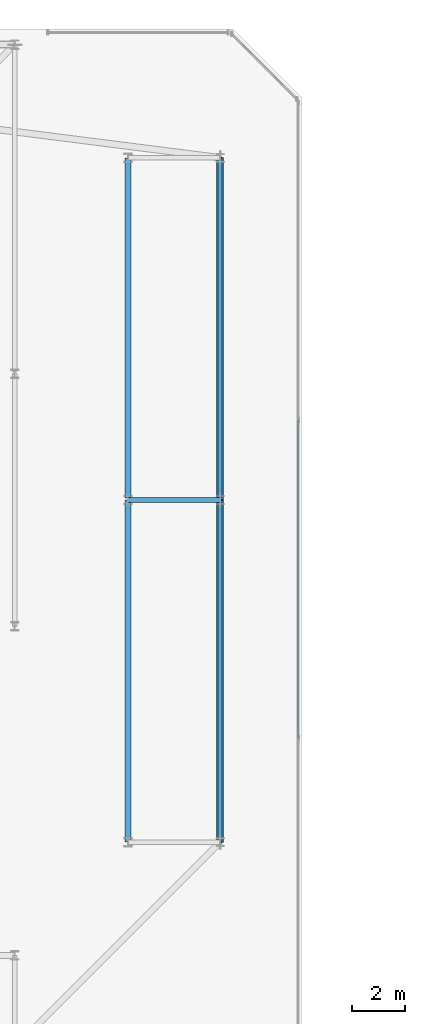
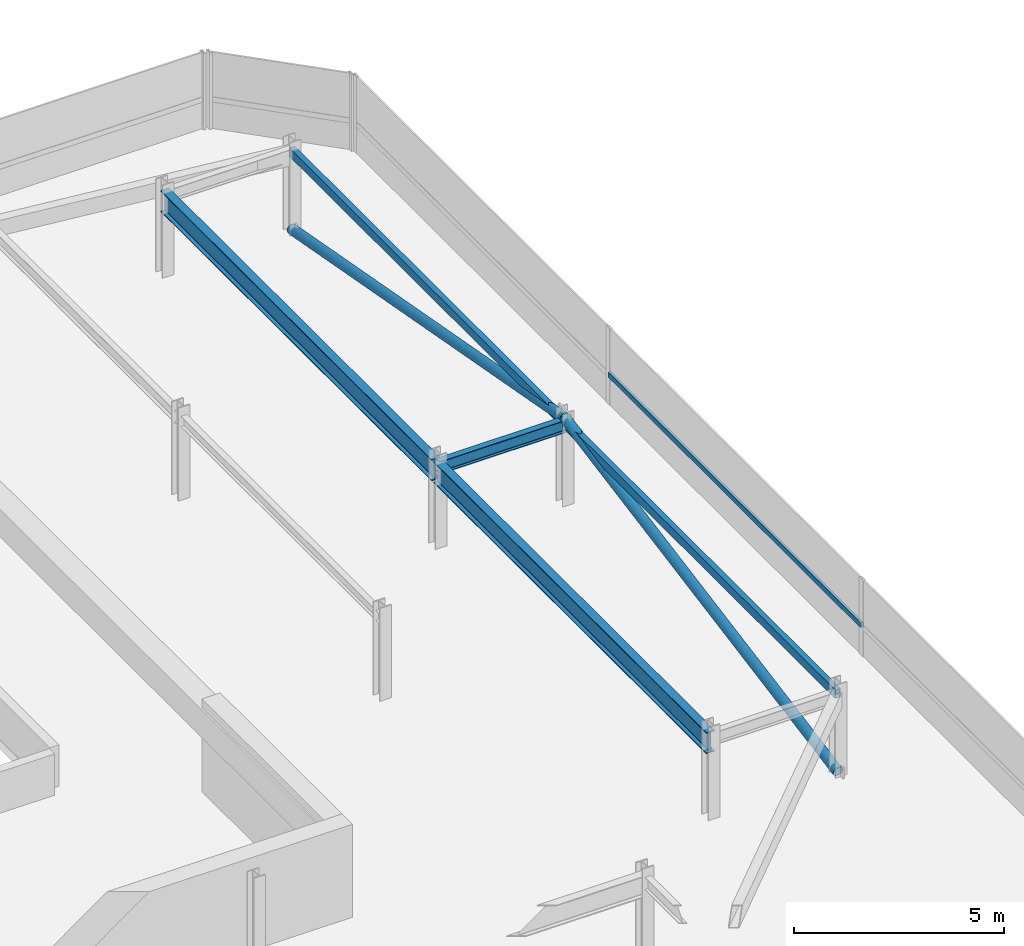
# One storey, part 18 of 42: 5 beams, 3 members, 1 element without a shape of its own.
"""IFC4 building model written with IfcOpenShell, lengths in metres."""

from ifc_helpers import new_model, si_unit, direction, frame, origin, origin_2d, place, context, subcontext, project, spatial, hollow_rectangle, hollow_circle, i_section, extrude, material, material_profile, profile_set, type_object, element, aggregate, save


model = new_model("IFC4")

# Units and contexts
model_context = context("Model", 3, precision=1e-05, world=origin(), true_north=direction((0.0, 1.0)))
body_context = subcontext(model_context, "Body", "Model", "MODEL_VIEW")
ifc_project = project(units=[si_unit("LENGTHUNIT", "METRE"), si_unit("AREAUNIT", "SQUARE_METRE"), si_unit("VOLUMEUNIT", "CUBIC_METRE"), si_unit("PLANEANGLEUNIT", "RADIAN"), si_unit("MASSUNIT", "GRAM", prefix="KILO")], contexts=[model_context])

# Site, building, storey
site_placement = place(None, origin())
site = spatial("IfcSite", under=ifc_project, at=site_placement, CompositionType="ELEMENT")
building_placement = place(site_placement, origin())
building = spatial("IfcBuilding", under=site, at=building_placement, Name="Thornwick Lancets Civic Towers", CompositionType="ELEMENT")
storey_placement = place(building_placement, frame((0.0, 0.0, 289.5)))
storey = spatial("IfcBuildingStorey", under=building, at=storey_placement, Name="C04", CompositionType="ELEMENT", Elevation=289.5)

# Beams
ifc_material_1 = material(Name="Steel S355JR", Category="steel")
ifc_material_profile_1 = material_profile(ifc_material_1, hollow_rectangle(XDim=0.14990234375, YDim=0.25, WallThickness=0.012451171875, at=origin_2d()), Name="RHS 250x150x12.5")
ifc_profile_set_1 = profile_set([ifc_material_profile_1], Name="Steel S355JR")
beam_type_1 = type_object("IfcBeamType", Name="BM_CROWN_RHS250", PredefinedType="BEAM", material=ifc_profile_set_1)
beam_1_placement = place(storey_placement, frame((46.300048828125, 14.0, 2.31494140625), z_axis=(0.0, 1.0, 0.0), x_axis=(-1.0, 0.0, 0.0)))
element("IfcBeam", 1, at=beam_1_placement, inside=storey, type_object=beam_type_1, Name="BM-EDGE-C04-A-S1-1", PredefinedType="BEAM", context=body_context, shape_type="SweptSolid", body=[
    extrude(hollow_rectangle(XDim=0.14990234375, YDim=0.25, WallThickness=0.012451171875, at=origin_2d()), origin(), (0.0, 0.0, 1.0), 13.0),
])
beam_2_placement = place(storey_placement, frame((46.300048828125, 27.080078125, 2.31494140625), z_axis=(0.0, 1.0, 0.0), x_axis=(-1.0, 0.0, 0.0)))
element("IfcBeam", 2, at=beam_2_placement, inside=storey, type_object=beam_type_1, Name="BM-EDGE-C04-A-S1-2", PredefinedType="BEAM", context=body_context, shape_type="SweptSolid", body=[
    extrude(hollow_rectangle(XDim=0.14990234375, YDim=0.25, WallThickness=0.012451171875, at=origin_2d()), origin(), (0.0, 0.0, 1.0), 12.919921875),
])
ifc_material_profile_2 = material_profile(ifc_material_1, i_section(OverallWidth=0.230224609375, OverallDepth=0.6171875, WebThickness=0.01318359375, FlangeThickness=0.022216796875, FilletRadius=0.0126953125, at=origin_2d()), Name="UKB 610x229x140")
ifc_profile_set_2 = profile_set([ifc_material_profile_2], Name="Steel S355JR")
beam_type_2 = type_object("IfcBeamType", Name="BM_GIRD_610_140", PredefinedType="BEAM", material=ifc_profile_set_2)
beam_3_placement = place(storey_placement, frame((42.800048828125, 14.0, 2.13134765625), z_axis=(0.0, 1.0, 0.0), x_axis=(-1.0, 0.0, 0.0)))
element("IfcBeam", 3, at=beam_3_placement, inside=storey, type_object=beam_type_2, Name="BM-SPINE-C04-A-3-4", PredefinedType="BEAM", context=body_context, shape_type="SweptSolid", body=[
    extrude(i_section(OverallWidth=0.230224609375, OverallDepth=0.6171875, WebThickness=0.01318359375, FlangeThickness=0.022216796875, FilletRadius=0.0126953125, at=origin_2d()), origin(), (0.0, 0.0, 1.0), 13.0),
])
beam_4_placement = place(storey_placement, frame((42.800048828125, 27.080078125, 2.13134765625), z_axis=(0.0, 1.0, 0.0), x_axis=(-1.0, 0.0, 0.0)))
element("IfcBeam", 4, at=beam_4_placement, inside=storey, type_object=beam_type_2, Name="BM-SPINE-C04-A-4-5", PredefinedType="BEAM", context=body_context, shape_type="SweptSolid", body=[
    extrude(i_section(OverallWidth=0.230224609375, OverallDepth=0.6171875, WebThickness=0.01318359375, FlangeThickness=0.022216796875, FilletRadius=0.0126953125, at=origin_2d()), origin(), (0.0, 0.0, 1.0), 12.919921875),
])
ifc_material_profile_3 = material_profile(ifc_material_1, i_section(OverallWidth=0.173095703125, OverallDepth=0.36328125, WebThickness=0.009033203125, FlangeThickness=0.015625, FilletRadius=0.01025390625, at=origin_2d()), Name="UKB 356x171x67")
ifc_profile_set_3 = profile_set([ifc_material_profile_3], Name="Steel S355JR")
beam_type_3 = type_object("IfcBeamType", Name="BM_JOIST_356_67", PredefinedType="JOIST", material=ifc_profile_set_3)
beam_5_placement = place(storey_placement, frame((42.800048828125, 27.0, 2.25830078125), z_axis=(1.0, 0.0, 0.0), x_axis=(0.0, 1.0, 0.0)))
element("IfcBeam", 5, at=beam_5_placement, inside=storey, type_object=beam_type_3, Name="BM-RAD-C04-A05", PredefinedType="JOIST", context=body_context, shape_type="SweptSolid", body=[
    extrude(i_section(OverallWidth=0.173095703125, OverallDepth=0.36328125, WebThickness=0.009033203125, FlangeThickness=0.015625, FilletRadius=0.01025390625, at=origin_2d()), origin(), (0.0, 0.0, 1.0), 3.5),
])

# Curtain wall, member
ifc_material_2 = material(Name="Crown ring acoustic-louvre and glazing screen wall", Category="glass")
curtain_wall_type = type_object("IfcCurtainWallType", Name="CW_SYS_07", PredefinedType="NOTDEFINED", material=ifc_material_2)
curtain_wall_placement = place(storey_placement, origin())
curtain_wall = element("IfcCurtainWall", 6, at=curtain_wall_placement, inside=storey, type_object=curtain_wall_type, Name="C04 Curtain Wall CW-C04-A-E2", PredefinedType="NOTDEFINED")
ifc_material_3 = material(Name="Thermally broken bronze aluminium S355", Category="steel")
ifc_material_profile_4 = material_profile(ifc_material_3, hollow_rectangle(XDim=0.074951171875, YDim=0.14990234375, WallThickness=0.0048828125, at=origin_2d()), Name="RHS 150x75x5")
ifc_profile_set_4 = profile_set([ifc_material_profile_4], Name="Thermally broken bronze aluminium S355")
member_type_1 = type_object("IfcMemberType", Name="CW_TRN_150", PredefinedType="USERDEFINED", material=ifc_profile_set_4)
member_placement = place(storey_placement, frame((49.2646484375, 17.986083984375, 0.85009765625), z_axis=(0.0, 1.0, 0.0), x_axis=(-1.0, 0.0, 0.0)))
member = element("IfcMember", 7, at=member_placement, type_object=member_type_1, Name="CW-C04-A-E2 Transom 1", ObjectType="TRANSOM", PredefinedType="USERDEFINED", context=body_context, shape_type="SweptSolid", body=[
    extrude(hollow_rectangle(XDim=0.074951171875, YDim=0.14990234375, WallThickness=0.0048828125, at=origin_2d()), origin(), (0.0, 0.0, 1.0), 12.02783203125),
])
aggregate(curtain_wall, [member])

# Members
ifc_material_profile_5 = material_profile(ifc_material_1, hollow_circle(Radius=0.136474609375, WallThickness=0.012451171875, at=origin_2d()), Name="CHS 273x12.5")
ifc_profile_set_5 = profile_set([ifc_material_profile_5], Name="Steel S355JR")
member_type_2 = type_object("IfcMemberType", Name="MEM_CROWN_CHS273", PredefinedType="BRACE", material=ifc_profile_set_5)
for number, where, z_axis, x_axis, name in (
    (8, (46.300048828125, 14.0, 0.050048828125), (0.0, 0.98351842104, 0.180807951915), (-1.0, 0.0, 0.0), "C04 Crown Ring Lancet Rib A-S1-L"),
    (9, (46.300048828125, 40.0, 0.050048828125), (0.0, -0.98351842104, 0.180807951915), (1.0, 0.0, 0.0), "C04 Crown Ring Lancet Rib A-S1-R"),
):
    element("IfcMember", number, at=place(storey_placement, frame(where, z_axis=z_axis, x_axis=x_axis)), inside=storey, type_object=member_type_2, Name=name, PredefinedType="BRACE", context=body_context, shape_type="SweptSolid", body=[
        extrude(hollow_circle(Radius=0.136474609375, WallThickness=0.012451171875, at=origin_2d()), origin(), (0.0, 0.0, 1.0), 13.2177734375),
    ])

save(model, "model.ifc")
